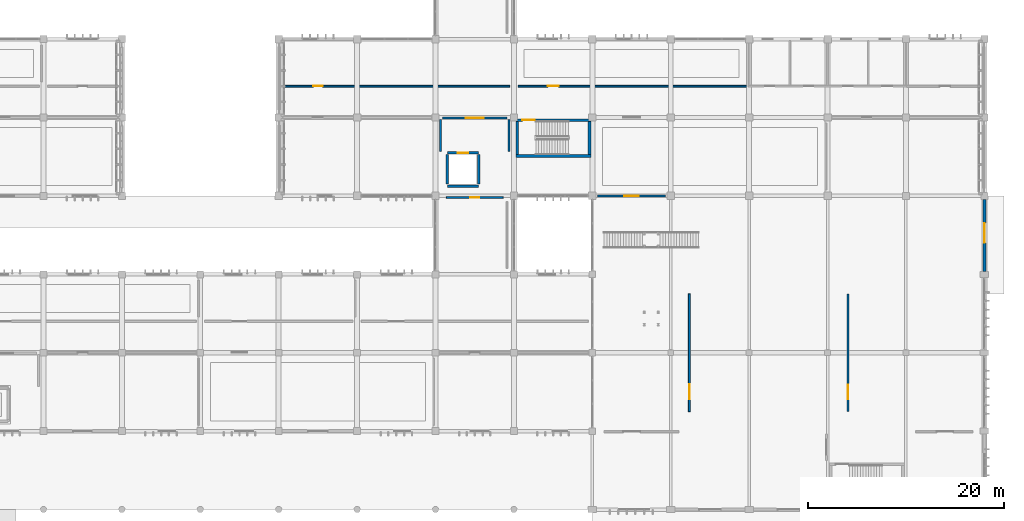
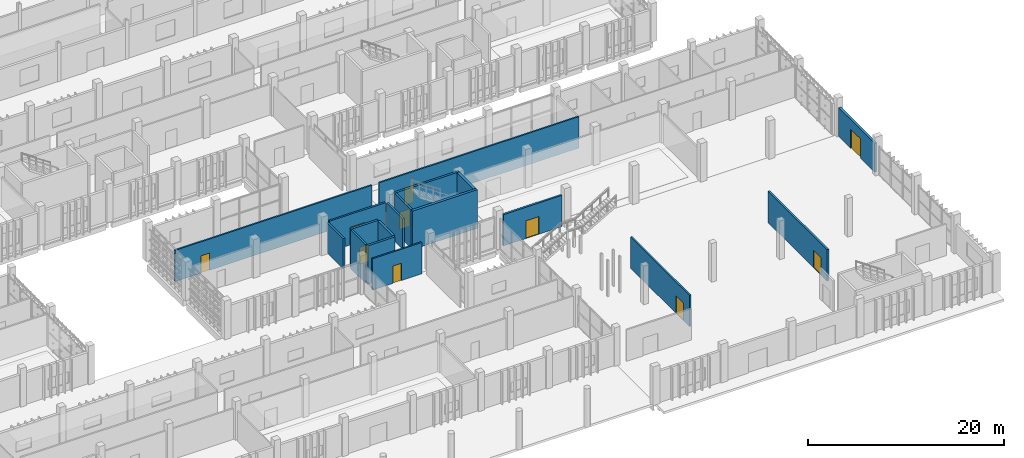
# One storey, part 94 of 117: 18 walls, 10 doors, 10 openings.
"""IFC4 building model written with IfcOpenShell, lengths in metres."""

from ifc_helpers import new_model, si_unit, direction, frame, frame_2d, origin, place, context, subcontext, project, spatial, rectangle, extrude, material, layer, layer_set, type_object, element, fill, save


model = new_model("IFC4")

# Units and contexts
model_context = context("Model", 3, precision=1e-05, world=origin(), true_north=direction((0.0, 1.0)))
body_context = subcontext(model_context, "Body", "Model", "MODEL_VIEW")
ifc_project = project(units=[si_unit("LENGTHUNIT", "METRE"), si_unit("AREAUNIT", "SQUARE_METRE"), si_unit("VOLUMEUNIT", "CUBIC_METRE"), si_unit("PLANEANGLEUNIT", "RADIAN"), si_unit("MASSUNIT", "GRAM", prefix="KILO")], contexts=[model_context])

# Site, building, storey
site_placement = place(None, origin())
site = spatial("IfcSite", under=ifc_project, at=site_placement, CompositionType="ELEMENT")
building_placement = place(site_placement, origin())
building = spatial("IfcBuilding", under=site, at=building_placement, Name="Jelvoka-Kovrelna Polytechnic", CompositionType="ELEMENT")
storey_placement = place(building_placement, origin())
storey = spatial("IfcBuildingStorey", under=building, at=storey_placement, Name="L01", CompositionType="ELEMENT", Elevation=0.0)

# Wall, opening, door
ifc_material_1 = material(Name="Concrete C35/45", Category="concrete")
ifc_layer_1 = layer(ifc_material_1, 0.219970703125)
ifc_layer_set_1 = layer_set([ifc_layer_1], Name="Concrete C35/45")
wall_type_1 = type_object("IfcWallType", Name="Wall_Compartment_220", PredefinedType="PARTITIONING", material=ifc_layer_set_1)
wall_1_placement = place(storey_placement, frame((144.699951171875, 39.949951171875, 0.0), z_axis=(0.0, 0.0, 1.0), x_axis=(1.0, 0.0, 0.0)))
wall_1 = element("IfcWall", 1, at=wall_1_placement, inside=storey, type_object=wall_type_1, Name="L01 interior wall 0467", PredefinedType="PARTITIONING", context=body_context, shape_type="SweptSolid", body=[
    extrude(rectangle(XDim=6.60009765625, YDim=0.219970703125, at=frame_2d((3.300048828125, 0.0))), origin(), (0.0, 0.0, 1.0), 3.81005859375),
])
opening_1_placement = place(wall_1_placement, frame((2.39990234375, 0.0, 0.0)))
opening_1 = element("IfcOpeningElement", 2, at=opening_1_placement, cuts=wall_1, Name="Opening FD-L01-090", PredefinedType="OPENING", context=body_context, shape_type="SweptSolid", body=[
    extrude(rectangle(XDim=1.800048828125, YDim=2.199951171875, at=frame_2d((0.89990234375, 1.10009765625))), frame((0.0, 0.119873046875, 0.0), z_axis=(0.0, -1.0, 0.0), x_axis=(1.0, 0.0, 0.0)), (0.0, 0.0, 1.0), 0.239990234375),
])
ifc_material_2 = material(Name="Paired steel corridor fire door", Category="steel")
door_type_1 = type_object("IfcDoorType", Name="Door_Fire_FD03", OperationType="NOTDEFINED", PredefinedType="DOOR", material=ifc_material_2)
door_1_placement = place(opening_1_placement, origin())
door_1 = element("IfcDoor", 3, at=door_1_placement, inside=storey, type_object=door_type_1, Name="L01 interior door FD-L01-090", OperationType="DOUBLE_DOOR_SINGLE_SWING", OverallHeight=2.199951171875, OverallWidth=1.800048828125, PredefinedType="DOOR", context=body_context, shape_type="SweptSolid", body=[
    extrude(rectangle(XDim=1.800048828125, YDim=2.199951171875, at=frame_2d((0.89990234375, 1.10009765625))), frame((0.0, 0.02490234375, 0.0), z_axis=(0.0, -1.0, 0.0), x_axis=(1.0, 0.0, 0.0)), (0.0, 0.0, 1.0), 0.050048828125),
])
fill(opening_1, door_1)

# Walls
for number, where, z_axis, x_axis, name in (
    (4, (144.5, 36.550048828125, 0.0), (0.0, 0.0, 1.0), (0.0, 1.0, 0.0), "L01 interior wall 0468"),
    (5, (151.5, 36.550048828125, 0.0), (0.0, 0.0, 1.0), (0.0, 1.0, 0.0), "L01 interior wall 0469"),
):
    element("IfcWall", number, at=place(storey_placement, frame(where, z_axis=z_axis, x_axis=x_axis)), inside=storey, type_object=wall_type_1, Name=name, PredefinedType="PARTITIONING", context=body_context, shape_type="SweptSolid", body=[
        extrude(rectangle(XDim=3.25, YDim=0.219970703125, at=frame_2d((1.625, 0.0))), origin(), (0.0, 0.0, 1.0), 3.760009765625),
    ])

# Wall, opening, door
wall_2_placement = place(storey_placement, frame((186.10009765625, 10.0, 0.0), z_axis=(0.0, 0.0, 1.0), x_axis=(0.0, 1.0, 0.0)))
wall_2 = element("IfcWall", 6, at=wall_2_placement, inside=storey, type_object=wall_type_1, Name="L01 interior wall 0937", PredefinedType="PARTITIONING", context=body_context, shape_type="SweptSolid", body=[
    extrude(rectangle(XDim=12.0, YDim=0.219970703125, at=frame_2d((6.0, 0.0))), origin(), (0.0, 0.0, 1.0), 3.89990234375),
])
opening_2_placement = place(wall_2_placement, frame((1.25, 0.0, 0.0)))
opening_2 = element("IfcOpeningElement", 7, at=opening_2_placement, cuts=wall_2, Name="Opening D-L01-213", PredefinedType="OPENING", context=body_context, shape_type="SweptSolid", body=[
    extrude(rectangle(XDim=1.5, YDim=2.199951171875, at=frame_2d((0.75, 1.10009765625))), frame((0.0, 0.119873046875, 0.0), z_axis=(0.0, -1.0, 0.0), x_axis=(1.0, 0.0, 0.0)), (0.0, 0.0, 1.0), 0.239990234375),
])
ifc_material_3 = material(Name="Paired steel stair lobby fire door", Category="steel")
door_type_2 = type_object("IfcDoorType", Name="Door_Fire_FD04", OperationType="NOTDEFINED", PredefinedType="DOOR", material=ifc_material_3)
door_2_placement = place(opening_2_placement, origin())
door_2 = element("IfcDoor", 8, at=door_2_placement, inside=storey, type_object=door_type_2, Name="L01 interior door D-L01-213", OperationType="DOUBLE_DOOR_SINGLE_SWING", OverallHeight=2.199951171875, OverallWidth=1.5, PredefinedType="DOOR", context=body_context, shape_type="SweptSolid", body=[
    extrude(rectangle(XDim=1.5, YDim=2.199951171875, at=frame_2d((0.75, 1.10009765625))), frame((0.0, 0.02490234375, 0.0), z_axis=(0.0, -1.0, 0.0), x_axis=(1.0, 0.0, 0.0)), (0.0, 0.0, 1.0), 0.050048828125),
])
fill(opening_2, door_2)

wall_3_placement = place(storey_placement, frame((167.449951171875, 32.0, 0.0), z_axis=(0.0, 0.0, 1.0), x_axis=(-1.0, 0.0, 0.0)))
wall_3 = element("IfcWall", 9, at=wall_3_placement, inside=storey, type_object=wall_type_1, Name="L01 interior wall 1329", PredefinedType="PARTITIONING", context=body_context, shape_type="SweptSolid", body=[
    extrude(rectangle(XDim=6.89990234375, YDim=0.219970703125, at=frame_2d((3.449951171875, 0.0))), origin(), (0.0, 0.0, 1.0), 3.889892578125),
])
opening_3_placement = place(wall_3_placement, frame((2.699951171875, 0.0, 0.0)))
opening_3 = element("IfcOpeningElement", 10, at=opening_3_placement, cuts=wall_3, Name="Opening FD-L01-481", PredefinedType="OPENING", context=body_context, shape_type="SweptSolid", body=[
    extrude(rectangle(XDim=1.5, YDim=2.199951171875, at=frame_2d((0.75, 1.10009765625))), frame((0.0, 0.119873046875, 0.0), z_axis=(0.0, -1.0, 0.0), x_axis=(1.0, 0.0, 0.0)), (0.0, 0.0, 1.0), 0.239990234375),
])
door_3_placement = place(opening_3_placement, origin())
door_3 = element("IfcDoor", 11, at=door_3_placement, inside=storey, type_object=door_type_2, Name="L01 interior door FD-L01-481", OperationType="DOUBLE_DOOR_SINGLE_SWING", OverallHeight=2.199951171875, OverallWidth=1.5, PredefinedType="DOOR", context=body_context, shape_type="SweptSolid", body=[
    extrude(rectangle(XDim=1.5, YDim=2.199951171875, at=frame_2d((0.75, 1.10009765625))), frame((0.0, 0.02490234375, 0.0), z_axis=(0.0, -1.0, 0.0), x_axis=(1.0, 0.0, 0.0)), (0.0, 0.0, 1.0), 0.050048828125),
])
fill(opening_3, door_3)

ifc_material_4 = material(Name="Concrete C40/50", Category="concrete")
ifc_layer_2 = layer(ifc_material_4, 0.25)
ifc_layer_set_2 = layer_set([ifc_layer_2], Name="Concrete C40/50")
wall_type_2 = type_object("IfcWallType", Name="Wall_Core_250", PredefinedType="SOLIDWALL", material=ifc_layer_set_2)
wall_4_placement = place(storey_placement, frame((152.199951171875, 39.739990234375, 0.0), z_axis=(0.0, 0.0, 1.0), x_axis=(1.0, 0.0, 0.0)))
wall_4 = element("IfcWall", 12, at=wall_4_placement, inside=storey, type_object=wall_type_2, Name="L01 interior wall 0119", PredefinedType="SOLIDWALL", context=body_context, shape_type="SweptSolid", body=[
    extrude(rectangle(XDim=7.650146484375, YDim=0.25, at=frame_2d((3.8251953125, 0.0))), origin(), (0.0, 0.0, 1.0), 4.800048828125),
])
opening_4_placement = place(wall_4_placement, frame((0.64990234375, 0.0, 0.0)))
opening_4 = element("IfcOpeningElement", 13, at=opening_4_placement, cuts=wall_4, Name="Opening SD-L01-030", PredefinedType="OPENING", context=body_context, shape_type="SweptSolid", body=[
    extrude(rectangle(XDim=1.25, YDim=2.14990234375, at=frame_2d((0.625, 1.074951171875))), frame((0.0, 0.135009765625, 0.0), z_axis=(0.0, -1.0, 0.0), x_axis=(1.0, 0.0, 0.0)), (0.0, 0.0, 1.0), 0.27001953125),
])
ifc_material_5 = material(Name="Powder-coated steel fire door", Category="steel")
door_type_3 = type_object("IfcDoorType", Name="Door_Fire_FD02", OperationType="NOTDEFINED", PredefinedType="DOOR", material=ifc_material_5)
door_4_placement = place(opening_4_placement, origin())
door_4 = element("IfcDoor", 14, at=door_4_placement, inside=storey, type_object=door_type_3, Name="L01 interior door SD-L01-030", OperationType="SINGLE_SWING_LEFT", OverallHeight=2.14990234375, OverallWidth=1.25, PredefinedType="DOOR", context=body_context, shape_type="SweptSolid", body=[
    extrude(rectangle(XDim=1.25, YDim=2.14990234375, at=frame_2d((0.625, 1.074951171875))), frame((0.0, 0.02490234375, 0.0), z_axis=(0.0, -1.0, 0.0), x_axis=(1.0, 0.0, 0.0)), (0.0, 0.0, 1.0), 0.050048828125),
])
fill(opening_4, door_4)

# Walls
wall_5_placement = place(storey_placement, frame((152.324951171875, 36.25, 0.0), z_axis=(0.0, 0.0, 1.0), x_axis=(0.0, 1.0, 0.0)))
element("IfcWall", 15, at=wall_5_placement, inside=storey, type_object=wall_type_2, Name="L01 interior wall 0120", PredefinedType="SOLIDWALL", context=body_context, shape_type="SweptSolid", body=[
    extrude(rectangle(XDim=3.360107421875, YDim=0.25, at=frame_2d((1.68017578125, 0.0))), origin(), (0.0, 0.0, 1.0), 4.800048828125),
])
wall_6_placement = place(storey_placement, frame((145.199951171875, 33.0, 0.0), z_axis=(0.0, 0.0, 1.0), x_axis=(1.0, 0.0, 0.0)))
element("IfcWall", 16, at=wall_6_placement, inside=storey, type_object=wall_type_2, Name="L01 interior wall 0463", PredefinedType="SOLIDWALL", context=body_context, shape_type="SweptSolid", body=[
    extrude(rectangle(XDim=3.199951171875, YDim=0.25, at=frame_2d((1.60009765625, 0.0))), origin(), (0.0, 0.0, 1.0), 4.800048828125),
])

# Wall, opening, door
wall_7_placement = place(storey_placement, frame((145.199951171875, 36.39990234375, 0.0), z_axis=(0.0, 0.0, 1.0), x_axis=(1.0, 0.0, 0.0)))
wall_7 = element("IfcWall", 17, at=wall_7_placement, inside=storey, type_object=wall_type_2, Name="L01 interior wall 0464", PredefinedType="SOLIDWALL", context=body_context, shape_type="SweptSolid", body=[
    extrude(rectangle(XDim=3.199951171875, YDim=0.25, at=frame_2d((1.60009765625, 0.0))), origin(), (0.0, 0.0, 1.0), 4.800048828125),
])
opening_5_placement = place(wall_7_placement, frame((1.050048828125, 0.0, 0.0)))
opening_5 = element("IfcOpeningElement", 18, at=opening_5_placement, cuts=wall_7, Name="Opening LD-L01-27", PredefinedType="OPENING", context=body_context, shape_type="SweptSolid", body=[
    extrude(rectangle(XDim=1.10009765625, YDim=2.14990234375, at=frame_2d((0.550048828125, 1.074951171875))), frame((0.0, 0.135009765625, 0.0), z_axis=(0.0, -1.0, 0.0), x_axis=(1.0, 0.0, 0.0)), (0.0, 0.0, 1.0), 0.27001953125),
])
ifc_material_6 = material(Name="Brushed stainless steel sliding landing door", Category="steel")
door_type_4 = type_object("IfcDoorType", Name="Door_Lift_LD01", OperationType="NOTDEFINED", PredefinedType="DOOR", material=ifc_material_6)
door_5_placement = place(opening_5_placement, origin())
door_5 = element("IfcDoor", 19, at=door_5_placement, inside=storey, type_object=door_type_4, Name="L01 lift landing sliding door LD-L01-27", OperationType="DOUBLE_DOOR_SLIDING", OverallHeight=2.14990234375, OverallWidth=1.10009765625, PredefinedType="DOOR", context=body_context, shape_type="SweptSolid", body=[
    extrude(rectangle(XDim=1.10009765625, YDim=2.14990234375, at=frame_2d((0.550048828125, 1.074951171875))), frame((0.0, 0.02490234375, 0.0), z_axis=(0.0, -1.0, 0.0), x_axis=(1.0, 0.0, 0.0)), (0.0, 0.0, 1.0), 0.050048828125),
])
fill(opening_5, door_5)

# Walls
for number, where, z_axis, x_axis, name in (
    (20, (145.199951171875, 33.199951171875, 0.0), (0.0, 0.0, 1.0), (0.0, 1.0, 0.0), "L01 interior wall 0465"),
    (21, (148.39990234375, 33.199951171875, 0.0), (0.0, 0.0, 1.0), (0.0, 1.0, 0.0), "L01 interior wall 0466"),
):
    element("IfcWall", number, at=place(storey_placement, frame(where, z_axis=z_axis, x_axis=x_axis)), inside=storey, type_object=wall_type_2, Name=name, PredefinedType="SOLIDWALL", context=body_context, shape_type="SweptSolid", body=[
        extrude(rectangle(XDim=3.0, YDim=0.25, at=frame_2d((1.5, 0.0))), origin(), (0.0, 0.0, 1.0), 4.800048828125),
    ])

# Wall, opening, door
ifc_material_7 = material(Name="Autoclaved aerated concrete blockwork", Category="masonry")
ifc_layer_3 = layer(ifc_material_7, 0.179931640625)
ifc_layer_set_3 = layer_set([ifc_layer_3], Name="Autoclaved aerated concrete blockwork")
wall_type_3 = type_object("IfcWallType", Name="Wall_Corridor_180", PredefinedType="PARTITIONING", material=ifc_layer_set_3)
wall_8_placement = place(storey_placement, frame((128.429931640625, 43.199951171875, 0.0), z_axis=(0.0, 0.0, 1.0), x_axis=(1.0, 0.0, 0.0)))
wall_8 = element("IfcWall", 22, at=wall_8_placement, inside=storey, type_object=wall_type_3, Name="L01 interior wall 0881", PredefinedType="PARTITIONING", context=body_context, shape_type="SweptSolid", body=[
    extrude(rectangle(XDim=23.14013671875, YDim=0.179931640625, at=frame_2d((11.570068359375, 0.0))), origin(), (0.0, 0.0, 1.0), 3.89990234375),
])
opening_6_placement = place(wall_8_placement, frame((3.070068359375, 0.0, 0.0)))
opening_6 = element("IfcOpeningElement", 23, at=opening_6_placement, cuts=wall_8, Name="Opening D-L01-175", PredefinedType="OPENING", context=body_context, shape_type="SweptSolid", body=[
    extrude(rectangle(XDim=1.0, YDim=2.14990234375, at=frame_2d((0.5, 1.074951171875))), frame((0.0, 0.099853515625, 0.0), z_axis=(0.0, -1.0, 0.0), x_axis=(1.0, 0.0, 0.0)), (0.0, 0.0, 1.0), 0.199951171875),
])
ifc_material_8 = material(Name="Hardwood acoustic seminar door", Category="wood")
door_type_5 = type_object("IfcDoorType", Name="Door_Int_D08", OperationType="NOTDEFINED", PredefinedType="DOOR", material=ifc_material_8)
door_6_placement = place(opening_6_placement, origin())
door_6 = element("IfcDoor", 24, at=door_6_placement, inside=storey, type_object=door_type_5, Name="L01 interior door D-L01-175", OperationType="SINGLE_SWING_RIGHT", OverallHeight=2.14990234375, OverallWidth=1.0, PredefinedType="DOOR", context=body_context, shape_type="SweptSolid", body=[
    extrude(rectangle(XDim=1.0, YDim=2.14990234375, at=frame_2d((0.5, 1.074951171875))), frame((0.0, 0.02490234375, 0.0), z_axis=(0.0, -1.0, 0.0), x_axis=(1.0, 0.0, 0.0)), (0.0, 0.0, 1.0), 0.050048828125),
])
fill(opening_6, door_6)

wall_9_placement = place(storey_placement, frame((152.429931640625, 43.199951171875, 0.0), z_axis=(0.0, 0.0, 1.0), x_axis=(1.0, 0.0, 0.0)))
wall_9 = element("IfcWall", 25, at=wall_9_placement, inside=storey, type_object=wall_type_3, Name="L01 interior wall 0882", PredefinedType="PARTITIONING", context=body_context, shape_type="SweptSolid", body=[
    extrude(rectangle(XDim=23.4951171875, YDim=0.179931640625, at=frame_2d((11.74755859375, 0.0))), origin(), (0.0, 0.0, 1.0), 3.89990234375),
])
opening_7_placement = place(wall_9_placement, frame((2.9951171875, 0.0, 0.0)))
opening_7 = element("IfcOpeningElement", 26, at=opening_7_placement, cuts=wall_9, Name="Opening D-L01-176", PredefinedType="OPENING", context=body_context, shape_type="SweptSolid", body=[
    extrude(rectangle(XDim=1.14990234375, YDim=2.14990234375, at=frame_2d((0.574951171875, 1.074951171875))), frame((0.0, 0.099853515625, 0.0), z_axis=(0.0, -1.0, 0.0), x_axis=(1.0, 0.0, 0.0)), (0.0, 0.0, 1.0), 0.199951171875),
])
ifc_material_9 = material(Name="Hardwood fire-resisting laboratory door", Category="wood")
door_type_6 = type_object("IfcDoorType", Name="Door_Fire_FD30_03", OperationType="NOTDEFINED", PredefinedType="DOOR", material=ifc_material_9)
door_7_placement = place(opening_7_placement, origin())
door_7 = element("IfcDoor", 27, at=door_7_placement, inside=storey, type_object=door_type_6, Name="L01 interior door D-L01-176", OperationType="SINGLE_SWING_LEFT", OverallHeight=2.14990234375, OverallWidth=1.14990234375, PredefinedType="DOOR", context=body_context, shape_type="SweptSolid", body=[
    extrude(rectangle(XDim=1.14990234375, YDim=2.14990234375, at=frame_2d((0.574951171875, 1.074951171875))), frame((0.0, 0.02490234375, 0.0), z_axis=(0.0, -1.0, 0.0), x_axis=(1.0, 0.0, 0.0)), (0.0, 0.0, 1.0), 0.050048828125),
])
fill(opening_7, door_7)

wall_10_placement = place(storey_placement, frame((145.10009765625, 31.85009765625, 0.0), z_axis=(0.0, 0.0, 1.0), x_axis=(1.0, 0.0, 0.0)))
wall_10 = element("IfcWall", 28, at=wall_10_placement, inside=storey, type_object=wall_type_3, Name="L01 interior wall 0903", PredefinedType="PARTITIONING", context=body_context, shape_type="SweptSolid", body=[
    extrude(rectangle(XDim=5.7998046875, YDim=0.179931640625, at=frame_2d((2.89990234375, 0.0))), origin(), (0.0, 0.0, 1.0), 3.89990234375),
])
opening_8_placement = place(wall_10_placement, frame((2.419921875, 0.0, 0.0)))
opening_8 = element("IfcOpeningElement", 29, at=opening_8_placement, cuts=wall_10, Name="Opening D-L01-191", PredefinedType="OPENING", context=body_context, shape_type="SweptSolid", body=[
    extrude(rectangle(XDim=0.9599609375, YDim=2.14990234375, at=frame_2d((0.47998046875, 1.074951171875))), frame((0.0, 0.099853515625, 0.0), z_axis=(0.0, -1.0, 0.0), x_axis=(1.0, 0.0, 0.0)), (0.0, 0.0, 1.0), 0.199951171875),
])
ifc_material_10 = material(Name="Hardwood solid-core door", Category="wood")
door_type_7 = type_object("IfcDoorType", Name="Door_Int_D07", OperationType="NOTDEFINED", PredefinedType="DOOR", material=ifc_material_10)
door_8_placement = place(opening_8_placement, origin())
door_8 = element("IfcDoor", 30, at=door_8_placement, inside=storey, type_object=door_type_7, Name="L01 interior door D-L01-191", OperationType="SINGLE_SWING_RIGHT", OverallHeight=2.14990234375, OverallWidth=0.9599609375, PredefinedType="DOOR", context=body_context, shape_type="SweptSolid", body=[
    extrude(rectangle(XDim=0.9599609375, YDim=2.14990234375, at=frame_2d((0.47998046875, 1.074951171875))), frame((0.0, 0.02490234375, 0.0), z_axis=(0.0, -1.0, 0.0), x_axis=(1.0, 0.0, 0.0)), (0.0, 0.0, 1.0), 0.050048828125),
])
fill(opening_8, door_8)

wall_11_placement = place(storey_placement, frame((169.89990234375, 10.0, 0.0), z_axis=(0.0, 0.0, 1.0), x_axis=(0.0, 1.0, 0.0)))
wall_11 = element("IfcWall", 31, at=wall_11_placement, inside=storey, type_object=wall_type_3, Name="L01 interior wall 0936", PredefinedType="PARTITIONING", context=body_context, shape_type="SweptSolid", body=[
    extrude(rectangle(XDim=12.0, YDim=0.179931640625, at=frame_2d((6.0, 0.0))), origin(), (0.0, 0.0, 1.0), 3.89990234375),
])
opening_9_placement = place(wall_11_placement, frame((1.22998046875, 0.0, 0.0)))
opening_9 = element("IfcOpeningElement", 32, at=opening_9_placement, cuts=wall_11, Name="Opening D-L01-212", PredefinedType="OPENING", context=body_context, shape_type="SweptSolid", body=[
    extrude(rectangle(XDim=1.5400390625, YDim=2.199951171875, at=frame_2d((0.77001953125, 1.10009765625))), frame((0.0, 0.099853515625, 0.0), z_axis=(0.0, -1.0, 0.0), x_axis=(1.0, 0.0, 0.0)), (0.0, 0.0, 1.0), 0.199951171875),
])
ifc_material_11 = material(Name="Paired hardwood fire-resisting library door", Category="wood")
door_type_8 = type_object("IfcDoorType", Name="Door_Fire_FD30_07", OperationType="NOTDEFINED", PredefinedType="DOOR", material=ifc_material_11)
door_9_placement = place(opening_9_placement, origin())
door_9 = element("IfcDoor", 33, at=door_9_placement, inside=storey, type_object=door_type_8, Name="L01 interior door D-L01-212", OperationType="DOUBLE_DOOR_SINGLE_SWING", OverallHeight=2.199951171875, OverallWidth=1.5400390625, PredefinedType="DOOR", context=body_context, shape_type="SweptSolid", body=[
    extrude(rectangle(XDim=1.5400390625, YDim=2.199951171875, at=frame_2d((0.77001953125, 1.10009765625))), frame((0.0, 0.02490234375, 0.0), z_axis=(0.0, -1.0, 0.0), x_axis=(1.0, 0.0, 0.0)), (0.0, 0.0, 1.0), 0.050048828125),
])
fill(opening_9, door_9)

ifc_material_12 = material(Name="Precast concrete C40/50", Category="concrete")
ifc_layer_4 = layer(ifc_material_12, 0.280029296875)
ifc_layer_set_4 = layer_set([ifc_layer_4], Name="Precast concrete C40/50")
wall_type_4 = type_object("IfcWallType", Name="Wall_Ext_White_280", PredefinedType="STANDARD", material=ifc_layer_set_4)
wall_12_placement = place(storey_placement, frame((200.0, 31.653076171875, 0.0), z_axis=(0.0, 0.0, 1.0), x_axis=(0.0, -1.0, 0.0)))
wall_12 = element("IfcWall", 34, at=wall_12_placement, inside=storey, type_object=wall_type_4, Name="L01 exterior wall 1130", PredefinedType="STANDARD", context=body_context, shape_type="SweptSolid", body=[
    extrude(rectangle(XDim=7.35595703125, YDim=0.280029296875, at=frame_2d((3.677978515625, 0.0))), origin(), (0.0, 0.0, 1.0), 3.590087890625),
])
opening_10_placement = place(wall_12_placement, frame((2.43310546875, 0.0, 0.0)))
opening_10 = element("IfcOpeningElement", 35, at=opening_10_placement, cuts=wall_12, Name="Opening E-L01-038", PredefinedType="OPENING", context=body_context, shape_type="SweptSolid", body=[
    extrude(rectangle(XDim=2.0, YDim=2.39990234375, at=frame_2d((1.0, 1.199951171875))), frame((0.0, 0.150146484375, 0.0), z_axis=(0.0, -1.0, 0.0), x_axis=(1.0, 0.0, 0.0)), (0.0, 0.0, 1.0), 0.300048828125),
])
ifc_material_13 = material(Name="Powder-coated aluminium and laminated safety glass", Category="aluminium")
door_type_9 = type_object("IfcDoorType", Name="Door_Ext_Exit_2000x2400", OperationType="NOTDEFINED", PredefinedType="DOOR", material=ifc_material_13)
door_10_placement = place(opening_10_placement, origin())
door_10 = element("IfcDoor", 36, at=door_10_placement, inside=storey, type_object=door_type_9, Name="L01 exterior door E-L01-038", OperationType="DOUBLE_DOOR_SINGLE_SWING", OverallHeight=2.39990234375, OverallWidth=2.0, PredefinedType="DOOR", context=body_context, shape_type="SweptSolid", body=[
    extrude(rectangle(XDim=2.0, YDim=2.39990234375, at=frame_2d((1.0, 1.199951171875))), frame((0.0, 0.02490234375, 0.0), z_axis=(0.0, -1.0, 0.0), x_axis=(1.0, 0.0, 0.0)), (0.0, 0.0, 1.0), 0.050048828125),
])
fill(opening_10, door_10)

# Walls
ifc_material_14 = material(Name="Concrete C40/50", Category="concrete")
ifc_layer_5 = layer(ifc_material_14, 0.300048828125)
ifc_layer_set_5 = layer_set([ifc_layer_5], Name="Concrete C40/50")
wall_type_5 = type_object("IfcWallType", Name="Wall_Shear_300", PredefinedType="SHEAR", material=ifc_layer_set_5)
wall_13_placement = place(storey_placement, frame((152.199951171875, 36.090087890625, 0.0), z_axis=(0.0, 0.0, 1.0), x_axis=(1.0, 0.0, 0.0)))
element("IfcWall", 37, at=wall_13_placement, inside=storey, type_object=wall_type_5, Name="L01 interior wall 0117", PredefinedType="SHEAR", context=body_context, shape_type="SweptSolid", body=[
    extrude(rectangle(XDim=7.650146484375, YDim=0.300048828125, at=frame_2d((3.8251953125, 0.0))), origin(), (0.0, 0.0, 1.0), 4.800048828125),
])
wall_14_placement = place(storey_placement, frame((159.7099609375, 36.25, 0.0), z_axis=(0.0, 0.0, 1.0), x_axis=(0.0, 1.0, 0.0)))
element("IfcWall", 38, at=wall_14_placement, inside=storey, type_object=wall_type_5, Name="L01 interior wall 0118", PredefinedType="SHEAR", context=body_context, shape_type="SweptSolid", body=[
    extrude(rectangle(XDim=3.360107421875, YDim=0.300048828125, at=frame_2d((1.68017578125, 0.0))), origin(), (0.0, 0.0, 1.0), 4.800048828125),
])

save(model, "model.ifc")
